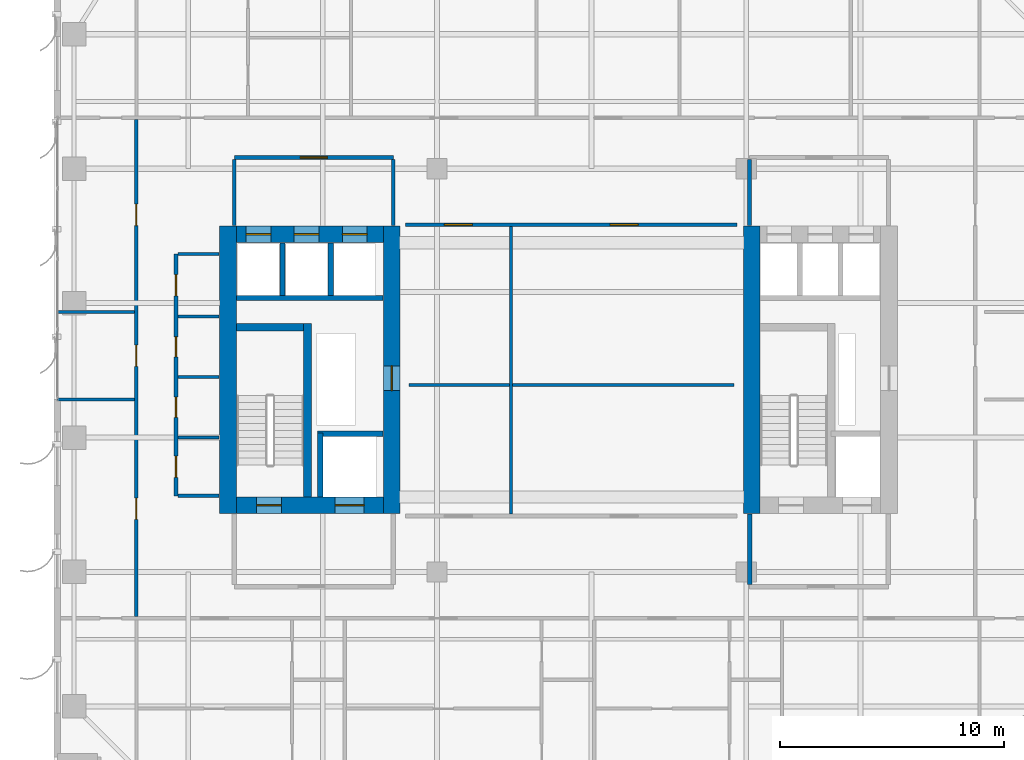
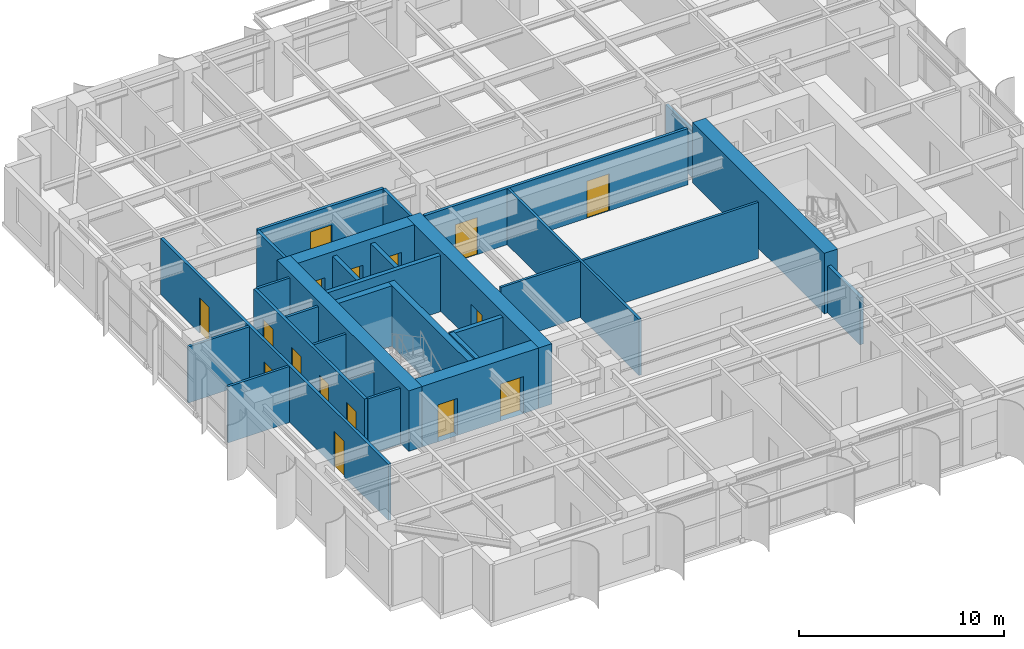
# One storey, part 21 of 27: 29 walls, 16 doors, 16 openings.
"""IFC4 building model written with IfcOpenShell, lengths in metres."""

from ifc_helpers import new_model, si_unit, direction, frame, frame_2d, origin, place, context, subcontext, project, spatial, rectangle, extrude, source, transform, mapped, material, layer, layer_set, type_object, element, fill, save


model = new_model("IFC4")

# Units and contexts
model_context = context("Model", 3, precision=1e-05, world=origin(), true_north=direction((0.0, 1.0)))
body_context = subcontext(model_context, "Body", "Model", "MODEL_VIEW")
ifc_project = project(units=[si_unit("LENGTHUNIT", "METRE"), si_unit("AREAUNIT", "SQUARE_METRE"), si_unit("VOLUMEUNIT", "CUBIC_METRE"), si_unit("PLANEANGLEUNIT", "RADIAN"), si_unit("MASSUNIT", "GRAM", prefix="KILO")], contexts=[model_context])

# Site, building, storey
site_placement = place(None, origin())
site = spatial("IfcSite", under=ifc_project, at=site_placement, CompositionType="ELEMENT")
building_placement = place(site_placement, origin())
building = spatial("IfcBuilding", under=site, at=building_placement, Name="Khoralis Quay Care Tower", CompositionType="ELEMENT")
storey_placement = place(building_placement, frame((0.0, 0.0, 105.300048828125)))
storey = spatial("IfcBuildingStorey", under=building, at=storey_placement, Name="L27", CompositionType="ELEMENT", Elevation=105.300048828125)

# Walls
ifc_material_1 = material(Name="Gypsum plasterboard on acoustic metal stud")
ifc_layer_1 = layer(ifc_material_1, 0.199951171875)
ifc_layer_set_1 = layer_set([ifc_layer_1], Name="Gypsum plasterboard on acoustic metal stud")
wall_type_1 = type_object("IfcWallType", Name="WL-COMP-200", PredefinedType="PARTITIONING", material=ifc_layer_set_1)
wall_1_placement = place(storey_placement, frame((31.050048828125, 11.445068359375, 0.0), z_axis=(0.0, 0.0, 1.0), x_axis=(0.0, 1.0, 0.0)))
element("IfcWall", 1, at=wall_1_placement, inside=storey, type_object=wall_type_1, Name="L27 East Firefighting Lobby West Wall", PredefinedType="PARTITIONING", context=body_context, shape_type="SweptSolid", body=[
    extrude(rectangle(XDim=3.135009765625, YDim=0.199951171875, at=frame_2d((1.5673828125, 0.0))), origin(), (0.0, 0.0, 1.0), 2.7958984375),
])
ifc_material_2 = material(Name="Concrete C80/95", Category="concrete")
ifc_layer_2 = layer(ifc_material_2, 0.75)
ifc_layer_set_2 = layer_set([ifc_layer_2], Name="Concrete C80/95")
wall_type_2 = type_object("IfcWallType", Name="WL-CORE-750", PredefinedType="SHEAR", material=ifc_layer_set_2)
wall_2_placement = place(storey_placement, frame((7.77490234375, 14.60009765625, 0.0), z_axis=(0.0, 0.0, 1.0), x_axis=(0.0, 1.0, 0.0)))
element("IfcWall", 2, at=wall_2_placement, inside=storey, type_object=wall_type_2, Name="L27 WCORE West Shear Wall", PredefinedType="SHEAR", context=body_context, shape_type="SweptSolid", body=[
    extrude(rectangle(XDim=12.849853515625, YDim=0.75, at=frame_2d((6.4248046875, 0.0))), origin(), (0.0, 0.0, 1.0), 3.599853515625),
])

# Wall, opening, door
wall_3_placement = place(storey_placement, frame((15.074951171875, 14.60009765625, 0.0), z_axis=(0.0, 0.0, 1.0), x_axis=(0.0, 1.0, 0.0)))
wall_3 = element("IfcWall", 3, at=wall_3_placement, inside=storey, type_object=wall_type_2, Name="L27 WCORE East Shear Wall", PredefinedType="SHEAR", context=body_context, shape_type="SweptSolid", body=[
    extrude(rectangle(XDim=12.849853515625, YDim=0.75, at=frame_2d((6.4248046875, 0.0))), origin(), (0.0, 0.0, 1.0), 3.599853515625),
])
opening_1_placement = place(wall_3_placement, frame((5.5, 0.0, 0.0)))
opening_1 = element("IfcOpeningElement", 4, at=opening_1_placement, cuts=wall_3, Name="Opening SD1", PredefinedType="OPENING", context=body_context, shape_type="SweptSolid", body=[
    extrude(rectangle(XDim=1.10009765625, YDim=2.199951171875, at=frame_2d((0.550048828125, 1.10009765625))), frame((0.0, 0.385009765625, 0.0), z_axis=(0.0, -1.0, 0.0), x_axis=(1.0, 0.0, 0.0)), (0.0, 0.0, 1.0), 0.77001953125),
])
ifc_material_3 = material(Name="Fire-rated painted steel", Category="steel")
door_type_1 = type_object("IfcDoorType", Name="DR-STAIR-1100X2200", OperationType="NOTDEFINED", PredefinedType="DOOR", material=ifc_material_3)
shared_shape_1 = source(origin(), body_context, "Body", "SweptSolid", [
    extrude(rectangle(XDim=1.10009765625, YDim=2.199951171875, at=frame_2d((0.550048828125, 1.10009765625))), frame((0.0, 0.02490234375, 0.0), z_axis=(0.0, -1.0, 0.0), x_axis=(1.0, 0.0, 0.0)), (0.0, 0.0, 1.0), 0.050048828125),
])
door_1_placement = place(opening_1_placement, origin())
door_1 = element("IfcDoor", 5, at=door_1_placement, inside=storey, type_object=door_type_1, Name="L27 West MEP Riser Door", OperationType="SINGLE_SWING_LEFT", OverallHeight=2.199951171875, OverallWidth=1.10009765625, PredefinedType="DOOR", context=body_context, shape_type="MappedRepresentation", body=[
    mapped(shared_shape_1, transform((0.0, 0.0, 0.0), scale=1.0)),
])
fill(opening_1, door_1)

# Wall, openings, doors
wall_4_placement = place(storey_placement, frame((8.14990234375, 14.97509765625, 0.0), z_axis=(0.0, 0.0, 1.0), x_axis=(1.0, 0.0, 0.0)))
wall_4 = element("IfcWall", 6, at=wall_4_placement, inside=storey, type_object=wall_type_2, Name="L27 WCORE South Shear Wall", PredefinedType="SHEAR", context=body_context, shape_type="SweptSolid", body=[
    extrude(rectangle(XDim=6.550048828125, YDim=0.75, at=frame_2d((3.27490234375, 0.0))), origin(), (0.0, 0.0, 1.0), 3.599853515625),
])
opening_2_placement = place(wall_4_placement, frame((0.89990234375, 0.0, 0.0)))
opening_2 = element("IfcOpeningElement", 7, at=opening_2_placement, cuts=wall_4, Name="Opening SD1", PredefinedType="OPENING", context=body_context, shape_type="SweptSolid", body=[
    extrude(rectangle(XDim=1.10009765625, YDim=2.199951171875, at=frame_2d((0.550048828125, 1.10009765625))), frame((0.0, 0.385009765625, 0.0), z_axis=(0.0, -1.0, 0.0), x_axis=(1.0, 0.0, 0.0)), (0.0, 0.0, 1.0), 0.77001953125),
])
opening_3_placement = place(wall_4_placement, frame((4.39990234375, 0.0, 0.0)))
opening_3 = element("IfcOpeningElement", 8, at=opening_3_placement, cuts=wall_4, Name="Opening LD2", PredefinedType="OPENING", context=body_context, shape_type="SweptSolid", body=[
    extrude(rectangle(XDim=1.300048828125, YDim=2.199951171875, at=frame_2d((0.64990234375, 1.10009765625))), frame((0.0, 0.385009765625, 0.0), z_axis=(0.0, -1.0, 0.0), x_axis=(1.0, 0.0, 0.0)), (0.0, 0.0, 1.0), 0.77001953125),
])
door_2_placement = place(opening_2_placement, origin())
door_2 = element("IfcDoor", 9, at=door_2_placement, inside=storey, type_object=door_type_1, Name="L27 Stair ST-T1 Fire Door", OperationType="SINGLE_SWING_LEFT", OverallHeight=2.199951171875, OverallWidth=1.10009765625, PredefinedType="DOOR", context=body_context, shape_type="MappedRepresentation", body=[
    mapped(shared_shape_1, transform((0.0, 0.0, 0.0), scale=1.0)),
])
fill(opening_2, door_2)
ifc_material_4 = material(Name="Brushed stainless steel", Category="steel")
door_type_2 = type_object("IfcDoorType", Name="DR-LIFT-1300X2200", OperationType="SLIDING_TO_RIGHT", PredefinedType="DOOR", material=ifc_material_4)
shared_shape_2 = source(origin(), body_context, "Body", "SweptSolid", [
    extrude(rectangle(XDim=1.300048828125, YDim=2.199951171875, at=frame_2d((0.64990234375, 1.10009765625))), frame((0.0, 0.02490234375, 0.0), z_axis=(0.0, -1.0, 0.0), x_axis=(1.0, 0.0, 0.0)), (0.0, 0.0, 1.0), 0.050048828125),
])
door_3_placement = place(opening_3_placement, origin())
door_3 = element("IfcDoor", 10, at=door_3_placement, inside=storey, type_object=door_type_2, Name="L27 Firefighting Lift FFL-1 Landing Door", OperationType="SLIDING_TO_RIGHT", OverallHeight=2.199951171875, OverallWidth=1.300048828125, PredefinedType="DOOR", context=body_context, shape_type="MappedRepresentation", body=[
    mapped(shared_shape_2, transform((0.0, 0.0, 0.0), scale=1.0)),
])
fill(opening_3, door_3)

wall_5_placement = place(storey_placement, frame((8.14990234375, 27.074951171875, 0.0), z_axis=(0.0, 0.0, 1.0), x_axis=(1.0, 0.0, 0.0)))
wall_5 = element("IfcWall", 11, at=wall_5_placement, inside=storey, type_object=wall_type_2, Name="L27 WCORE North Shear Wall", PredefinedType="SHEAR", context=body_context, shape_type="SweptSolid", body=[
    extrude(rectangle(XDim=6.550048828125, YDim=0.75, at=frame_2d((3.27490234375, 0.0))), origin(), (0.0, 0.0, 1.0), 3.599853515625),
])
opening_4_placement = place(wall_5_placement, frame((0.429931640625, 0.0, 0.0)))
opening_4 = element("IfcOpeningElement", 12, at=opening_4_placement, cuts=wall_5, Name="Opening LD1", PredefinedType="OPENING", context=body_context, shape_type="SweptSolid", body=[
    extrude(rectangle(XDim=1.10009765625, YDim=2.199951171875, at=frame_2d((0.550048828125, 1.10009765625))), frame((0.0, 0.385009765625, 0.0), z_axis=(0.0, -1.0, 0.0), x_axis=(1.0, 0.0, 0.0)), (0.0, 0.0, 1.0), 0.77001953125),
])
opening_5_placement = place(wall_5_placement, frame((2.570068359375, 0.0, 0.0)))
opening_5 = element("IfcOpeningElement", 13, at=opening_5_placement, cuts=wall_5, Name="Opening LD1", PredefinedType="OPENING", context=body_context, shape_type="SweptSolid", body=[
    extrude(rectangle(XDim=1.10009765625, YDim=2.199951171875, at=frame_2d((0.550048828125, 1.10009765625))), frame((0.0, 0.385009765625, 0.0), z_axis=(0.0, -1.0, 0.0), x_axis=(1.0, 0.0, 0.0)), (0.0, 0.0, 1.0), 0.77001953125),
])
opening_6_placement = place(wall_5_placement, frame((4.72998046875, 0.0, 0.0)))
opening_6 = element("IfcOpeningElement", 14, at=opening_6_placement, cuts=wall_5, Name="Opening LD1", PredefinedType="OPENING", context=body_context, shape_type="SweptSolid", body=[
    extrude(rectangle(XDim=1.10009765625, YDim=2.199951171875, at=frame_2d((0.550048828125, 1.10009765625))), frame((0.0, 0.385009765625, 0.0), z_axis=(0.0, -1.0, 0.0), x_axis=(1.0, 0.0, 0.0)), (0.0, 0.0, 1.0), 0.77001953125),
])
door_type_3 = type_object("IfcDoorType", Name="DR-LIFT-1100X2200", OperationType="SLIDING_TO_LEFT", PredefinedType="DOOR", material=ifc_material_4)
shared_shape_3 = source(origin(), body_context, "Body", "SweptSolid", [
    extrude(rectangle(XDim=1.10009765625, YDim=2.199951171875, at=frame_2d((0.550048828125, 1.10009765625))), frame((0.0, 0.02490234375, 0.0), z_axis=(0.0, -1.0, 0.0), x_axis=(1.0, 0.0, 0.0)), (0.0, 0.0, 1.0), 0.050048828125),
])
door_4_placement = place(opening_4_placement, origin())
door_4 = element("IfcDoor", 15, at=door_4_placement, inside=storey, type_object=door_type_3, Name="L27 Lift PLL1 Landing Door", OperationType="SLIDING_TO_LEFT", OverallHeight=2.199951171875, OverallWidth=1.10009765625, PredefinedType="DOOR", context=body_context, shape_type="MappedRepresentation", body=[
    mapped(shared_shape_3, transform((0.0, 0.0, 0.0), scale=1.0)),
])
fill(opening_4, door_4)
door_5_placement = place(opening_5_placement, origin())
door_5 = element("IfcDoor", 16, at=door_5_placement, inside=storey, type_object=door_type_3, Name="L27 Lift PLM1 Landing Door", OperationType="SLIDING_TO_LEFT", OverallHeight=2.199951171875, OverallWidth=1.10009765625, PredefinedType="DOOR", context=body_context, shape_type="MappedRepresentation", body=[
    mapped(shared_shape_3, transform((0.0, 0.0, 0.0), scale=1.0)),
])
fill(opening_5, door_5)
door_6_placement = place(opening_6_placement, origin())
door_6 = element("IfcDoor", 17, at=door_6_placement, inside=storey, type_object=door_type_3, Name="L27 Lift PLH1 Landing Door", OperationType="SLIDING_TO_LEFT", OverallHeight=2.199951171875, OverallWidth=1.10009765625, PredefinedType="DOOR", context=body_context, shape_type="MappedRepresentation", body=[
    mapped(shared_shape_3, transform((0.0, 0.0, 0.0), scale=1.0)),
])
fill(opening_6, door_6)

# Wall
wall_6_placement = place(storey_placement, frame((31.14501953125, 14.60009765625, 0.0), z_axis=(0.0, 0.0, 1.0), x_axis=(0.0, 1.0, 0.0)))
element("IfcWall", 18, at=wall_6_placement, inside=storey, type_object=wall_type_2, Name="L27 ECORE West Shear Wall", PredefinedType="SHEAR", context=body_context, shape_type="SweptSolid", body=[
    extrude(rectangle(XDim=12.849853515625, YDim=0.75, at=frame_2d((6.4248046875, 0.0))), origin(), (0.0, 0.0, 1.0), 3.599853515625),
])

# Wall, opening, door
ifc_layer_3 = layer(ifc_material_1, 0.1650390625)
ifc_layer_set_3 = layer_set([ifc_layer_3], Name="Gypsum plasterboard on acoustic metal stud")
wall_type_3 = type_object("IfcWallType", Name="WL-CORR-165", PredefinedType="PARTITIONING", material=ifc_layer_set_3)
wall_7_placement = place(storey_placement, frame((8.050048828125, 30.5, 0.0), z_axis=(0.0, 0.0, 1.0), x_axis=(1.0, 0.0, 0.0)))
wall_7 = element("IfcWall", 19, at=wall_7_placement, inside=storey, type_object=wall_type_3, Name="L27 West Lift Lobby North Wall", PredefinedType="PARTITIONING", context=body_context, shape_type="SweptSolid", body=[
    extrude(rectangle(XDim=7.099853515625, YDim=0.1650390625, at=frame_2d((3.5498046875, 0.0))), origin(), (0.0, 0.0, 1.0), 3.33984375),
])
opening_7_placement = place(wall_7_placement, frame((2.949951171875, 0.0, 0.0)))
opening_7 = element("IfcOpeningElement", 20, at=opening_7_placement, cuts=wall_7, Name="Opening FD1", PredefinedType="OPENING", context=body_context, shape_type="SweptSolid", body=[
    extrude(rectangle(XDim=1.199951171875, YDim=2.199951171875, at=frame_2d((0.60009765625, 1.10009765625))), frame((0.0, 0.092529296875, 0.0), z_axis=(0.0, -1.0, 0.0), x_axis=(1.0, 0.0, 0.0)), (0.0, 0.0, 1.0), 0.18505859375),
])
door_type_4 = type_object("IfcDoorType", Name="DR-FFL-1200X2200", OperationType="NOTDEFINED", PredefinedType="DOOR", material=ifc_material_3)
shared_shape_4 = source(origin(), body_context, "Body", "SweptSolid", [
    extrude(rectangle(XDim=1.199951171875, YDim=2.199951171875, at=frame_2d((0.60009765625, 1.10009765625))), frame((0.0, 0.02490234375, 0.0), z_axis=(0.0, -1.0, 0.0), x_axis=(1.0, 0.0, 0.0)), (0.0, 0.0, 1.0), 0.050048828125),
])
door_7_placement = place(opening_7_placement, origin())
door_7 = element("IfcDoor", 21, at=door_7_placement, inside=storey, type_object=door_type_4, Name="L27 West Lift Lobby Double Door", OperationType="DOUBLE_DOOR_SINGLE_SWING", OverallHeight=2.199951171875, OverallWidth=1.199951171875, PredefinedType="DOOR", context=body_context, shape_type="MappedRepresentation", body=[
    mapped(shared_shape_4, transform((0.0, 0.0, 0.0), scale=1.0)),
])
fill(opening_7, door_7)

# Walls
for number, where, z_axis, x_axis, name in (
    (22, (8.050048828125, 27.469970703125, 0.0), (0.0, 0.0, 1.0), (0.0, 1.0, 0.0), "L27 West Lift Lobby West Wall"),
    (23, (15.14990234375, 27.469970703125, 0.0), (0.0, 0.0, 1.0), (0.0, 1.0, 0.0), "L27 West Lift Lobby East Wall"),
):
    element("IfcWall", number, at=place(storey_placement, frame(where, z_axis=z_axis, x_axis=x_axis)), inside=storey, type_object=wall_type_3, Name=name, PredefinedType="PARTITIONING", context=body_context, shape_type="SweptSolid", body=[
        extrude(rectangle(XDim=2.95263671875, YDim=0.1650390625, at=frame_2d((1.476318359375, 0.0))), origin(), (0.0, 0.0, 1.0), 3.33984375),
    ])
wall_8_placement = place(storey_placement, frame((31.050048828125, 27.469970703125, 0.0), z_axis=(0.0, 0.0, 1.0), x_axis=(0.0, 1.0, 0.0)))
element("IfcWall", 24, at=wall_8_placement, inside=storey, type_object=wall_type_3, Name="L27 East Lift Lobby West Wall", PredefinedType="PARTITIONING", context=body_context, shape_type="SweptSolid", body=[
    extrude(rectangle(XDim=2.95263671875, YDim=0.1650390625, at=frame_2d((1.476318359375, 0.0))), origin(), (0.0, 0.0, 1.0), 2.7958984375),
])

# Wall, openings, doors
wall_9_placement = place(storey_placement, frame((5.449951171875, 15.39990234375, 0.0), z_axis=(0.0, 0.0, 1.0), x_axis=(0.0, 1.0, 0.0)))
wall_9 = element("IfcWall", 25, at=wall_9_placement, inside=storey, type_object=wall_type_3, Name="L27 West Core Service Flank Wall", PredefinedType="PARTITIONING", context=body_context, shape_type="SweptSolid", body=[
    extrude(rectangle(XDim=10.800048828125, YDim=0.1650390625, at=frame_2d((5.39990234375, 0.0))), origin(), (0.0, 0.0, 1.0), 3.33984375),
])
opening_8_placement = place(wall_9_placement, frame((0.824951171875, 0.0, 0.0)))
opening_8 = element("IfcOpeningElement", 26, at=opening_8_placement, cuts=wall_9, Name="Opening ID1", PredefinedType="OPENING", context=body_context, shape_type="SweptSolid", body=[
    extrude(rectangle(XDim=0.949951171875, YDim=2.10009765625, at=frame_2d((0.47509765625, 1.050048828125))), frame((0.0, 0.092529296875, 0.0), z_axis=(0.0, -1.0, 0.0), x_axis=(1.0, 0.0, 0.0)), (0.0, 0.0, 1.0), 0.18505859375),
])
opening_9_placement = place(wall_9_placement, frame((3.5, 0.0, 0.0)))
opening_9 = element("IfcOpeningElement", 27, at=opening_9_placement, cuts=wall_9, Name="Opening WD1", PredefinedType="OPENING", context=body_context, shape_type="SweptSolid", body=[
    extrude(rectangle(XDim=0.89990234375, YDim=2.10009765625, at=frame_2d((0.449951171875, 1.050048828125))), frame((0.0, 0.092529296875, 0.0), z_axis=(0.0, -1.0, 0.0), x_axis=(1.0, 0.0, 0.0)), (0.0, 0.0, 1.0), 0.18505859375),
])
opening_10_placement = place(wall_9_placement, frame((6.199951171875, 0.0, 0.0)))
opening_10 = element("IfcOpeningElement", 28, at=opening_10_placement, cuts=wall_9, Name="Opening WD1", PredefinedType="OPENING", context=body_context, shape_type="SweptSolid", body=[
    extrude(rectangle(XDim=0.89990234375, YDim=2.10009765625, at=frame_2d((0.449951171875, 1.050048828125))), frame((0.0, 0.092529296875, 0.0), z_axis=(0.0, -1.0, 0.0), x_axis=(1.0, 0.0, 0.0)), (0.0, 0.0, 1.0), 0.18505859375),
])
opening_11_placement = place(wall_9_placement, frame((8.925048828125, 0.0, 0.0)))
opening_11 = element("IfcOpeningElement", 29, at=opening_11_placement, cuts=wall_9, Name="Opening ID1", PredefinedType="OPENING", context=body_context, shape_type="SweptSolid", body=[
    extrude(rectangle(XDim=0.949951171875, YDim=2.10009765625, at=frame_2d((0.47509765625, 1.050048828125))), frame((0.0, 0.092529296875, 0.0), z_axis=(0.0, -1.0, 0.0), x_axis=(1.0, 0.0, 0.0)), (0.0, 0.0, 1.0), 0.18505859375),
])
ifc_material_5 = material(Name="Acoustic hardwood timber", Category="wood")
door_type_5 = type_object("IfcDoorType", Name="DR-BATH-900X2100", OperationType="NOTDEFINED", PredefinedType="DOOR", material=ifc_material_5)
shared_shape_5 = source(origin(), body_context, "Body", "SweptSolid", [
    extrude(rectangle(XDim=0.89990234375, YDim=2.10009765625, at=frame_2d((0.449951171875, 1.050048828125))), frame((0.0, 0.02490234375, 0.0), z_axis=(0.0, -1.0, 0.0), x_axis=(1.0, 0.0, 0.0)), (0.0, 0.0, 1.0), 0.050048828125),
])
door_8_placement = place(opening_9_placement, frame((0.89990234375, 0.0, 0.0), z_axis=(0.0, 0.0, 1.0), x_axis=(-1.0, 0.0, 0.0)))
door_8 = element("IfcDoor", 30, at=door_8_placement, inside=storey, type_object=door_type_5, Name="L27 Public Accessible WC Door", OperationType="SINGLE_SWING_LEFT", OverallHeight=2.10009765625, OverallWidth=0.89990234375, PredefinedType="DOOR", context=body_context, shape_type="MappedRepresentation", body=[
    mapped(shared_shape_5, transform((0.0, 0.0, 0.0), scale=1.0)),
])
fill(opening_9, door_8)
door_9_placement = place(opening_10_placement, frame((0.89990234375, 0.0, 0.0), z_axis=(0.0, 0.0, 1.0), x_axis=(-1.0, 0.0, 0.0)))
door_9 = element("IfcDoor", 31, at=door_9_placement, inside=storey, type_object=door_type_5, Name="L27 Staff Accessible WC Door", OperationType="SINGLE_SWING_RIGHT", OverallHeight=2.10009765625, OverallWidth=0.89990234375, PredefinedType="DOOR", context=body_context, shape_type="MappedRepresentation", body=[
    mapped(shared_shape_5, transform((0.0, 0.0, 0.0), scale=1.0)),
])
fill(opening_10, door_9)
door_type_6 = type_object("IfcDoorType", Name="DR-ROOM-950X2100", OperationType="NOTDEFINED", PredefinedType="DOOR", material=ifc_material_5)
shared_shape_6 = source(origin(), body_context, "Body", "SweptSolid", [
    extrude(rectangle(XDim=0.949951171875, YDim=2.10009765625, at=frame_2d((0.47509765625, 1.050048828125))), frame((0.0, 0.02490234375, 0.0), z_axis=(0.0, -1.0, 0.0), x_axis=(1.0, 0.0, 0.0)), (0.0, 0.0, 1.0), 0.050048828125),
])
door_10_placement = place(opening_8_placement, frame((0.949951171875, 0.0, 0.0), z_axis=(0.0, 0.0, 1.0), x_axis=(-1.0, 0.0, 0.0)))
door_10 = element("IfcDoor", 32, at=door_10_placement, inside=storey, type_object=door_type_6, Name="L27 Housekeeping Store Door", OperationType="SINGLE_SWING_RIGHT", OverallHeight=2.10009765625, OverallWidth=0.949951171875, PredefinedType="DOOR", context=body_context, shape_type="MappedRepresentation", body=[
    mapped(shared_shape_6, transform((0.0, 0.0, 0.0), scale=1.0)),
])
fill(opening_8, door_10)
door_11_placement = place(opening_11_placement, frame((0.949951171875, 0.0, 0.0), z_axis=(0.0, 0.0, 1.0), x_axis=(-1.0, 0.0, 0.0)))
door_11 = element("IfcDoor", 33, at=door_11_placement, inside=storey, type_object=door_type_6, Name="L27 Telecom IDF Room Door", OperationType="SINGLE_SWING_LEFT", OverallHeight=2.10009765625, OverallWidth=0.949951171875, PredefinedType="DOOR", context=body_context, shape_type="MappedRepresentation", body=[
    mapped(shared_shape_6, transform((0.0, 0.0, 0.0), scale=1.0)),
])
fill(opening_11, door_11)

wall_10_placement = place(storey_placement, frame((3.679931640625, 10.017578125, 0.0), z_axis=(0.0, 0.0, 1.0), x_axis=(0.0, 1.0, 0.0)))
wall_10 = element("IfcWall", 34, at=wall_10_placement, inside=storey, type_object=wall_type_3, Name="L27 West Loop Corridor Wall", PredefinedType="PARTITIONING", context=body_context, shape_type="SweptSolid", body=[
    extrude(rectangle(XDim=22.184814453125, YDim=0.1650390625, at=frame_2d((11.09228515625, 0.0))), origin(), (0.0, 0.0, 1.0), 3.33984375),
])
opening_12_placement = place(wall_10_placement, frame((4.327392578125, 0.0, 0.0)))
opening_12 = element("IfcOpeningElement", 35, at=opening_12_placement, cuts=wall_10, Name="Opening ID1", PredefinedType="OPENING", context=body_context, shape_type="SweptSolid", body=[
    extrude(rectangle(XDim=0.949951171875, YDim=2.10009765625, at=frame_2d((0.47509765625, 1.050048828125))), frame((0.0, 0.092529296875, 0.0), z_axis=(0.0, -1.0, 0.0), x_axis=(1.0, 0.0, 0.0)), (0.0, 0.0, 1.0), 0.18505859375),
])
opening_13_placement = place(wall_10_placement, frame((11.157470703125, 0.0, 0.0)))
opening_13 = element("IfcOpeningElement", 36, at=opening_13_placement, cuts=wall_10, Name="Opening ID1", PredefinedType="OPENING", context=body_context, shape_type="SweptSolid", body=[
    extrude(rectangle(XDim=0.949951171875, YDim=2.10009765625, at=frame_2d((0.47509765625, 1.050048828125))), frame((0.0, 0.092529296875, 0.0), z_axis=(0.0, -1.0, 0.0), x_axis=(1.0, 0.0, 0.0)), (0.0, 0.0, 1.0), 0.18505859375),
])
opening_14_placement = place(wall_10_placement, frame((17.447509765625, 0.0, 0.0)))
opening_14 = element("IfcOpeningElement", 37, at=opening_14_placement, cuts=wall_10, Name="Opening ID1", PredefinedType="OPENING", context=body_context, shape_type="SweptSolid", body=[
    extrude(rectangle(XDim=0.949951171875, YDim=2.10009765625, at=frame_2d((0.47509765625, 1.050048828125))), frame((0.0, 0.092529296875, 0.0), z_axis=(0.0, -1.0, 0.0), x_axis=(1.0, 0.0, 0.0)), (0.0, 0.0, 1.0), 0.18505859375),
])
door_12_placement = place(opening_12_placement, origin())
door_12 = element("IfcDoor", 38, at=door_12_placement, inside=storey, type_object=door_type_6, Name="L27 Therapy Consultation Room Door", OperationType="SINGLE_SWING_LEFT", OverallHeight=2.10009765625, OverallWidth=0.949951171875, PredefinedType="DOOR", context=body_context, shape_type="MappedRepresentation", body=[
    mapped(shared_shape_6, transform((0.0, 0.0, 0.0), scale=1.0)),
])
fill(opening_12, door_12)
door_13_placement = place(opening_13_placement, origin())
door_13 = element("IfcDoor", 39, at=door_13_placement, inside=storey, type_object=door_type_6, Name="L27 Assisted Activity Lounge Door", OperationType="SINGLE_SWING_RIGHT", OverallHeight=2.10009765625, OverallWidth=0.949951171875, PredefinedType="DOOR", context=body_context, shape_type="MappedRepresentation", body=[
    mapped(shared_shape_6, transform((0.0, 0.0, 0.0), scale=1.0)),
])
fill(opening_13, door_13)
door_14_placement = place(opening_14_placement, origin())
door_14 = element("IfcDoor", 40, at=door_14_placement, inside=storey, type_object=door_type_6, Name="L27 Nurse Charting Office Door", OperationType="SINGLE_SWING_LEFT", OverallHeight=2.10009765625, OverallWidth=0.949951171875, PredefinedType="DOOR", context=body_context, shape_type="MappedRepresentation", body=[
    mapped(shared_shape_6, transform((0.0, 0.0, 0.0), scale=1.0)),
])
fill(opening_14, door_14)

wall_11_placement = place(storey_placement, frame((15.699951171875, 27.5, 0.0), z_axis=(0.0, 0.0, 1.0), x_axis=(1.0, 0.0, 0.0)))
wall_11 = element("IfcWall", 41, at=wall_11_placement, inside=storey, type_object=wall_type_3, Name="L27 Central Clinical North Wall", PredefinedType="PARTITIONING", context=body_context, shape_type="SweptSolid", body=[
    extrude(rectangle(XDim=14.800048828125, YDim=0.1650390625, at=frame_2d((7.39990234375, 0.0))), origin(), (0.0, 0.0, 1.0), 3.33984375),
])
opening_15_placement = place(wall_11_placement, frame((1.72509765625, 0.0, 0.0)))
opening_15 = element("IfcOpeningElement", 42, at=opening_15_placement, cuts=wall_11, Name="Opening CD1", PredefinedType="OPENING", context=body_context, shape_type="SweptSolid", body=[
    extrude(rectangle(XDim=1.25, YDim=2.199951171875, at=frame_2d((0.625, 1.10009765625))), frame((0.0, 0.092529296875, 0.0), z_axis=(0.0, -1.0, 0.0), x_axis=(1.0, 0.0, 0.0)), (0.0, 0.0, 1.0), 0.18505859375),
])
opening_16_placement = place(wall_11_placement, frame((9.125, 0.0, 0.0)))
opening_16 = element("IfcOpeningElement", 43, at=opening_16_placement, cuts=wall_11, Name="Opening CD1", PredefinedType="OPENING", context=body_context, shape_type="SweptSolid", body=[
    extrude(rectangle(XDim=1.25, YDim=2.199951171875, at=frame_2d((0.625, 1.10009765625))), frame((0.0, 0.092529296875, 0.0), z_axis=(0.0, -1.0, 0.0), x_axis=(1.0, 0.0, 0.0)), (0.0, 0.0, 1.0), 0.18505859375),
])
door_type_7 = type_object("IfcDoorType", Name="DR-CARE-1250X2200", OperationType="NOTDEFINED", PredefinedType="DOOR", material=ifc_material_5)
shared_shape_7 = source(origin(), body_context, "Body", "SweptSolid", [
    extrude(rectangle(XDim=1.25, YDim=2.199951171875, at=frame_2d((0.625, 1.10009765625))), frame((0.0, 0.02490234375, 0.0), z_axis=(0.0, -1.0, 0.0), x_axis=(1.0, 0.0, 0.0)), (0.0, 0.0, 1.0), 0.050048828125),
])
door_15_placement = place(opening_15_placement, frame((1.25, 0.0, 0.0), z_axis=(0.0, 0.0, 1.0), x_axis=(-1.0, 0.0, 0.0)))
door_15 = element("IfcDoor", 44, at=door_15_placement, inside=storey, type_object=door_type_7, Name="L27 Library Lounge Door", OperationType="SINGLE_SWING_LEFT", OverallHeight=2.199951171875, OverallWidth=1.25, PredefinedType="DOOR", context=body_context, shape_type="MappedRepresentation", body=[
    mapped(shared_shape_7, transform((0.0, 0.0, 0.0), scale=1.0)),
])
fill(opening_15, door_15)
door_16_placement = place(opening_16_placement, frame((1.25, 0.0, 0.0), z_axis=(0.0, 0.0, 1.0), x_axis=(-1.0, 0.0, 0.0)))
door_16 = element("IfcDoor", 45, at=door_16_placement, inside=storey, type_object=door_type_7, Name="L27 Occupational Therapy Door", OperationType="SINGLE_SWING_RIGHT", OverallHeight=2.199951171875, OverallWidth=1.25, PredefinedType="DOOR", context=body_context, shape_type="MappedRepresentation", body=[
    mapped(shared_shape_7, transform((0.0, 0.0, 0.0), scale=1.0)),
])
fill(opening_16, door_16)

# Walls
ifc_material_6 = material(Name="Moisture-resistant gypsum and ceramic tile")
ifc_layer_4 = layer(ifc_material_6, 0.280029296875)
ifc_layer_set_4 = layer_set([ifc_layer_4], Name="Moisture-resistant gypsum and ceramic tile")
wall_type_4 = type_object("IfcWallType", Name="WL-PLUMB-280", PredefinedType="PLUMBINGWALL", material=ifc_layer_set_4)
wall_12_placement = place(storey_placement, frame((5.527587890625, 18.0, 0.0), z_axis=(0.0, 0.0, 1.0), x_axis=(1.0, 0.0, 0.0)))
element("IfcWall", 46, at=wall_12_placement, inside=storey, type_object=wall_type_4, Name="L27 West Flank Divider 1", PredefinedType="PLUMBINGWALL", context=body_context, shape_type="SweptSolid", body=[
    extrude(rectangle(XDim=1.83251953125, YDim=0.139892578125, at=frame_2d((0.916259765625, 0.0))), origin(), (0.0, 0.0, 1.0), 2.722900390625),
])
wall_13_placement = place(storey_placement, frame((5.527587890625, 20.699951171875, 0.0), z_axis=(0.0, 0.0, 1.0), x_axis=(1.0, 0.0, 0.0)))
element("IfcWall", 47, at=wall_13_placement, inside=storey, type_object=wall_type_4, Name="L27 West Flank Divider 2", PredefinedType="PLUMBINGWALL", context=body_context, shape_type="SweptSolid", body=[
    extrude(rectangle(XDim=1.83251953125, YDim=0.139892578125, at=frame_2d((0.916259765625, 0.0))), origin(), (0.0, 0.0, 1.0), 3.33984375),
])
ifc_material_7 = material(Name="Concrete C40/50", Category="concrete")
ifc_layer_5 = layer(ifc_material_7, 0.35009765625)
ifc_layer_set_5 = layer_set([ifc_layer_5], Name="Concrete C40/50")
wall_type_5 = type_object("IfcWallType", Name="WL-SC-CORE-350", PredefinedType="SHEAR", material=ifc_layer_set_5)
wall_14_placement = place(storey_placement, frame((11.324951171875, 15.35009765625, 0.0), z_axis=(0.0, 0.0, 1.0), x_axis=(0.0, 1.0, 0.0)))
element("IfcWall", 48, at=wall_14_placement, inside=storey, type_object=wall_type_5, Name="L27 Stair ST-T1 Shear Baffle Wall East", PredefinedType="SHEAR", context=body_context, shape_type="SweptSolid", body=[
    extrude(rectangle(XDim=7.75, YDim=0.35009765625, at=frame_2d((3.875, 0.0))), origin(), (0.0, 0.0, 1.0), 3.599853515625),
])
wall_15_placement = place(storey_placement, frame((8.14990234375, 22.925048828125, 0.0), z_axis=(0.0, 0.0, 1.0), x_axis=(1.0, 0.0, 0.0)))
element("IfcWall", 49, at=wall_15_placement, inside=storey, type_object=wall_type_5, Name="L27 Stair ST-T1 Shear Baffle Wall North", PredefinedType="SHEAR", context=body_context, shape_type="SweptSolid", body=[
    extrude(rectangle(XDim=3.0, YDim=0.35009765625, at=frame_2d((1.5, 0.0))), origin(), (0.0, 0.0, 1.0), 3.599853515625),
])
ifc_layer_6 = layer(ifc_material_1, 0.239990234375)
ifc_layer_set_6 = layer_set([ifc_layer_6], Name="Gypsum plasterboard on acoustic metal stud")
wall_type_6 = type_object("IfcWallType", Name="WL-SHAFT-240", PredefinedType="PARTITIONING", material=ifc_layer_set_6)
wall_16_placement = place(storey_placement, frame((11.8798828125, 15.35009765625, 0.0), z_axis=(0.0, 0.0, 1.0), x_axis=(0.0, 1.0, 0.0)))
element("IfcWall", 50, at=wall_16_placement, inside=storey, type_object=wall_type_6, Name="L27 FFL-1 Shaft Wall West", PredefinedType="PARTITIONING", context=body_context, shape_type="SweptSolid", body=[
    extrude(rectangle(XDim=2.849853515625, YDim=0.239990234375, at=frame_2d((1.4248046875, 0.0))), origin(), (0.0, 0.0, 1.0), 3.33984375),
])
wall_17_placement = place(storey_placement, frame((11.760009765625, 18.169921875, 0.0), z_axis=(0.0, 0.0, 1.0), x_axis=(1.0, 0.0, 0.0)))
element("IfcWall", 51, at=wall_17_placement, inside=storey, type_object=wall_type_6, Name="L27 FFL-1 Shaft Wall North", PredefinedType="PARTITIONING", context=body_context, shape_type="SweptSolid", body=[
    extrude(rectangle(XDim=2.919921875, YDim=0.239990234375, at=frame_2d((1.4599609375, 0.0))), origin(), (0.0, 0.0, 1.0), 3.33984375),
])
wall_18_placement = place(storey_placement, frame((8.14990234375, 24.22998046875, 0.0), z_axis=(0.0, 0.0, 1.0), x_axis=(1.0, 0.0, 0.0)))
element("IfcWall", 52, at=wall_18_placement, inside=storey, type_object=wall_type_6, Name="L27 West Passenger Shaft South Wall", PredefinedType="PARTITIONING", context=body_context, shape_type="SweptSolid", body=[
    extrude(rectangle(XDim=6.530029296875, YDim=0.239990234375, at=frame_2d((3.26513671875, 0.0))), origin(), (0.0, 0.0, 1.0), 3.33984375),
])
for number, where, z_axis, x_axis, name in (
    (53, (10.199951171875, 24.344970703125, 0.0), (0.0, 0.0, 1.0), (0.0, 1.0, 0.0), "L27 West Shaft Divider 1"),
    (54, (12.35009765625, 24.344970703125, 0.0), (0.0, 0.0, 1.0), (0.0, 1.0, 0.0), "L27 West Shaft Divider 2"),
):
    element("IfcWall", number, at=place(storey_placement, frame(where, z_axis=z_axis, x_axis=x_axis)), inside=storey, type_object=wall_type_6, Name=name, PredefinedType="PARTITIONING", context=body_context, shape_type="SweptSolid", body=[
        extrude(rectangle(XDim=2.3349609375, YDim=0.239990234375, at=frame_2d((1.16748046875, 0.0))), origin(), (0.0, 0.0, 1.0), 3.33984375),
    ])
ifc_layer_7 = layer(ifc_material_1, 0.139892578125)
ifc_layer_set_7 = layer_set([ifc_layer_7], Name="Gypsum plasterboard on acoustic metal stud")
wall_type_7 = type_object("IfcWallType", Name="WL-UNIT-140", PredefinedType="PARTITIONING", material=ifc_layer_set_7)
for number, where, z_axis, x_axis, name in (
    (55, (5.527587890625, 15.39990234375, 0.0), (0.0, 0.0, 1.0), (1.0, 0.0, 0.0), "L27 West Flank South Cap"),
    (56, (5.527587890625, 26.199951171875, 0.0), (0.0, 0.0, 1.0), (1.0, 0.0, 0.0), "L27 West Flank North Cap"),
    (57, (5.527587890625, 23.39990234375, 0.0), (0.0, 0.0, 1.0), (1.0, 0.0, 0.0), "L27 West Flank Divider 3"),
):
    element("IfcWall", number, at=place(storey_placement, frame(where, z_axis=z_axis, x_axis=x_axis)), inside=storey, type_object=wall_type_7, Name=name, PredefinedType="PARTITIONING", context=body_context, shape_type="SweptSolid", body=[
        extrude(rectangle(XDim=1.83251953125, YDim=0.139892578125, at=frame_2d((0.916259765625, 0.0))), origin(), (0.0, 0.0, 1.0), 3.33984375),
    ])
for number, where, z_axis, x_axis, name in (
    (58, (0.14501953125, 19.699951171875, 0.0), (0.0, 0.0, 1.0), (1.0, 0.0, 0.0), "L27 WW Divider 1"),
    (59, (0.14501953125, 23.60009765625, 0.0), (0.0, 0.0, 1.0), (1.0, 0.0, 0.0), "L27 WW Divider 2"),
):
    element("IfcWall", number, at=place(storey_placement, frame(where, z_axis=z_axis, x_axis=x_axis)), inside=storey, type_object=wall_type_7, Name=name, PredefinedType="PARTITIONING", context=body_context, shape_type="SweptSolid", body=[
        extrude(rectangle(XDim=3.45751953125, YDim=0.139892578125, at=frame_2d((1.728759765625, 0.0))), origin(), (0.0, 0.0, 1.0), 3.33984375),
    ])
wall_19_placement = place(storey_placement, frame((20.39990234375, 14.577392578125, 0.0), z_axis=(0.0, 0.0, 1.0), x_axis=(0.0, 1.0, 0.0)))
element("IfcWall", 60, at=wall_19_placement, inside=storey, type_object=wall_type_7, Name="L27 Central Split V", PredefinedType="PARTITIONING", context=body_context, shape_type="SweptSolid", body=[
    extrude(rectangle(XDim=12.84521484375, YDim=0.139892578125, at=frame_2d((6.422607421875, 0.0))), origin(), (0.0, 0.0, 1.0), 3.33984375),
])
wall_20_placement = place(storey_placement, frame((15.85009765625, 20.35009765625, 0.0), z_axis=(0.0, 0.0, 1.0), x_axis=(1.0, 0.0, 0.0)))
element("IfcWall", 61, at=wall_20_placement, inside=storey, type_object=wall_type_7, Name="L27 Central Split H", PredefinedType="PARTITIONING", context=body_context, shape_type="SweptSolid", body=[
    extrude(rectangle(XDim=14.5, YDim=0.139892578125, at=frame_2d((7.25, 0.0))), origin(), (0.0, 0.0, 1.0), 3.33984375),
])

save(model, "model.ifc")
